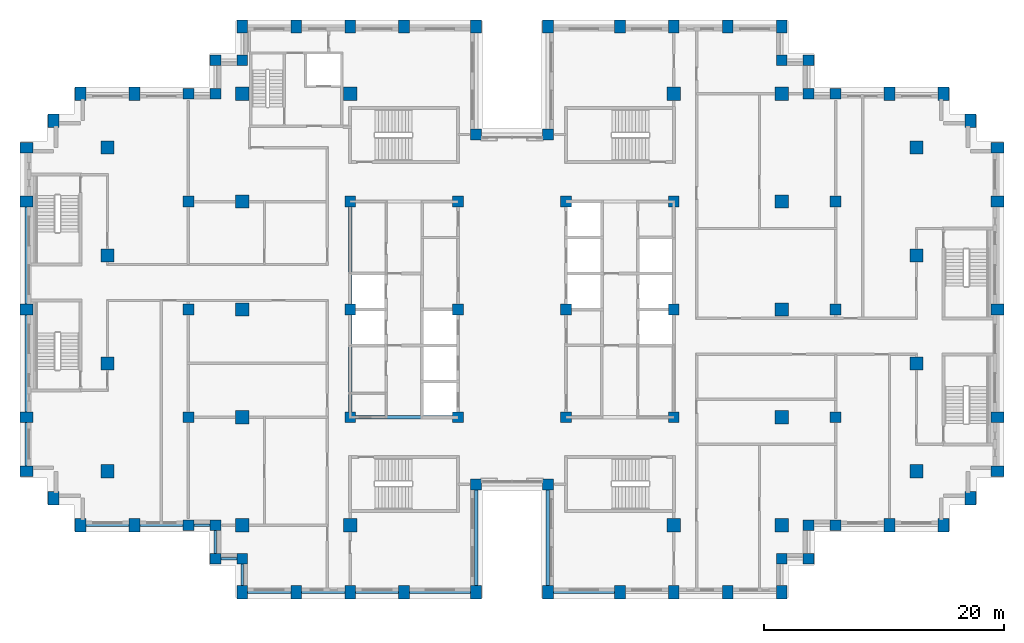
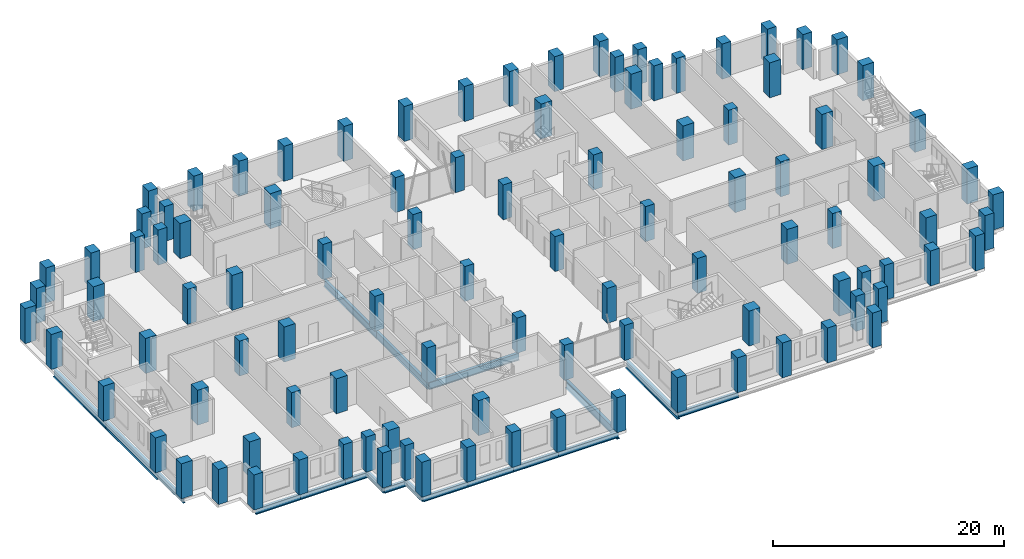
# One storey, part 1 of 16: 102 columns, 19 beams.
"""IFC4 building model written with IfcOpenShell, lengths in metres."""

from ifc_helpers import new_model, si_unit, direction, frame, origin, origin_2d, place, context, subcontext, project, spatial, rectangle, i_section, extrude, material, material_profile, profile_set, type_object, element, save


model = new_model("IFC4")

# Units and contexts
model_context = context("Model", 3, precision=1e-05, world=origin(), true_north=direction((0.0, 1.0)))
body_context = subcontext(model_context, "Body", "Model", "MODEL_VIEW")
ifc_project = project(units=[si_unit("LENGTHUNIT", "METRE"), si_unit("AREAUNIT", "SQUARE_METRE"), si_unit("VOLUMEUNIT", "CUBIC_METRE"), si_unit("PLANEANGLEUNIT", "RADIAN"), si_unit("MASSUNIT", "GRAM", prefix="KILO")], contexts=[model_context])

# Site, building, storey
site_placement = place(None, origin())
site = spatial("IfcSite", under=ifc_project, at=site_placement, CompositionType="ELEMENT")
building_placement = place(site_placement, origin())
building = spatial("IfcBuilding", under=site, at=building_placement, Name="Corbelhall Arena Tower", CompositionType="ELEMENT")
storey_placement = place(building_placement, frame((0.0, 0.0, 170.0)))
storey = spatial("IfcBuildingStorey", under=building, at=storey_placement, Name="L34", CompositionType="ELEMENT", Elevation=170.0)

# Columns
ifc_material_1 = material(Name="Concrete C80/95", Category="concrete")
ifc_material_profile_1 = material_profile(ifc_material_1, rectangle(XDim=1.10009765625, YDim=1.10009765625, at=origin_2d()))
ifc_profile_set_1 = profile_set([ifc_material_profile_1], Name="Concrete C80/95")
column_type_1 = type_object("IfcColumnType", Name="ST-COL-RC 1100x1100", PredefinedType="COLUMN", material=ifc_profile_set_1)
for number, where, z_axis, x_axis, name in (
    (1, (-33.75, 4.5, 0.0), (0.0, 0.0, 1.0), (1.0, 0.0, 0.0), "Column FIC+0450"),
    (2, (-33.75, 13.5, 0.0), (0.0, 0.0, 1.0), (1.0, 0.0, 0.0), "Column FIC+1350"),
    (3, (-33.75, -4.5, 0.0), (0.0, 0.0, 1.0), (1.0, 0.0, 0.0), "Column FIC-0450"),
    (4, (-33.75, -13.5, 0.0), (0.0, 0.0, 1.0), (1.0, 0.0, 0.0), "Column FIC-1350"),
    (5, (33.75, 4.5, 0.0), (0.0, 0.0, 1.0), (1.0, 0.0, 0.0), "Column FID+0450"),
    (6, (33.75, 13.5, 0.0), (0.0, 0.0, 1.0), (1.0, 0.0, 0.0), "Column FID+1350"),
    (7, (33.75, -4.5, 0.0), (0.0, 0.0, 1.0), (1.0, 0.0, 0.0), "Column FID-0450"),
    (8, (33.75, -13.5, 0.0), (0.0, 0.0, 1.0), (1.0, 0.0, 0.0), "Column FID-1350"),
    (9, (13.5, 18.0, 0.0), (0.0, 0.0, 1.0), (1.0, 0.0, 0.0), "Column IE13+1800"),
    (10, (13.5, -18.0, 0.0), (0.0, 0.0, 1.0), (1.0, 0.0, 0.0), "Column IE13-1800"),
    (11, (22.5, 0.0, 0.0), (0.0, 0.0, 1.0), (1.0, 0.0, 0.0), "Column IE22+0000"),
    (12, (22.5, 9.0, 0.0), (0.0, 0.0, 1.0), (1.0, 0.0, 0.0), "Column IE22+0900"),
    (13, (22.5, 18.0, 0.0), (0.0, 0.0, 1.0), (1.0, 0.0, 0.0), "Column IE22+1800"),
    (14, (22.5, -9.0, 0.0), (0.0, 0.0, 1.0), (1.0, 0.0, 0.0), "Column IE22-0900"),
    (15, (22.5, -18.0, 0.0), (0.0, 0.0, 1.0), (1.0, 0.0, 0.0), "Column IE22-1800"),
    (16, (-13.5, 18.0, 0.0), (0.0, 0.0, 1.0), (1.0, 0.0, 0.0), "Column IW13+1800"),
    (17, (-13.5, -18.0, 0.0), (0.0, 0.0, 1.0), (1.0, 0.0, 0.0), "Column IW13-1800"),
    (18, (-22.5, 0.0, 0.0), (0.0, 0.0, 1.0), (1.0, 0.0, 0.0), "Column IW22+0000"),
    (19, (-22.5, 9.0, 0.0), (0.0, 0.0, 1.0), (1.0, 0.0, 0.0), "Column IW22+0900"),
    (20, (-22.5, 18.0, 0.0), (0.0, 0.0, 1.0), (1.0, 0.0, 0.0), "Column IW22+1800"),
    (21, (-22.5, -9.0, 0.0), (0.0, 0.0, 1.0), (1.0, 0.0, 0.0), "Column IW22-0900"),
    (22, (-22.5, -18.0, 0.0), (0.0, 0.0, 1.0), (1.0, 0.0, 0.0), "Column IW22-1800"),
):
    element("IfcColumn", number, at=place(storey_placement, frame(where, z_axis=z_axis, x_axis=x_axis)), inside=storey, type_object=column_type_1, Name=name, PredefinedType="COLUMN", context=body_context, shape_type="SweptSolid", body=[
        extrude(rectangle(XDim=1.10009765625, YDim=1.10009765625, at=origin_2d()), origin(), (0.0, 0.0, 1.0), 3.699951171875),
    ])
ifc_material_profile_2 = material_profile(ifc_material_1, rectangle(XDim=0.89990234375, YDim=1.10009765625, at=origin_2d()))
ifc_profile_set_2 = profile_set([ifc_material_profile_2], Name="Concrete C80/95")
column_type_2 = type_object("IfcColumnType", Name="ST-COL-RC 900x1100", PredefinedType="COLUMN", material=ifc_profile_set_2)
for number, where, z_axis, x_axis, name in (
    (23, (-40.5, 0.0, 0.0), (0.0, 0.0, 1.0), (0.0, 1.0, 0.0), "Column FC+0000"),
    (24, (-40.5, 9.0, 0.0), (0.0, 0.0, 1.0), (0.0, 1.0, 0.0), "Column FC+0900"),
    (25, (-40.5, 13.5, 0.0), (0.0, 0.0, 1.0), (0.0, 1.0, 0.0), "Column FC+1350"),
    (26, (-40.5, -9.0, 0.0), (0.0, 0.0, 1.0), (0.0, 1.0, 0.0), "Column FC-0900"),
    (27, (-40.5, -13.5, 0.0), (0.0, 0.0, 1.0), (0.0, 1.0, 0.0), "Column FC-1350"),
    (28, (-38.25, 15.75, 0.0), (0.0, 0.0, 1.0), (1.0, 0.0, 0.0), "Column FCCN"),
    (29, (-38.25, -15.75, 0.0), (0.0, 0.0, 1.0), (1.0, 0.0, 0.0), "Column FCCS"),
    (30, (-31.5, 18.0, 0.0), (0.0, 0.0, 1.0), (1.0, 0.0, 0.0), "Column FCN3150"),
    (31, (-36.0, 18.0, 0.0), (0.0, 0.0, 1.0), (1.0, 0.0, 0.0), "Column FCN3600"),
    (32, (-31.5, -18.0, 0.0), (0.0, 0.0, 1.0), (1.0, 0.0, 0.0), "Column FCS3150"),
    (33, (-36.0, -18.0, 0.0), (0.0, 0.0, 1.0), (1.0, 0.0, 0.0), "Column FCS3600"),
    (34, (40.5, 0.0, 0.0), (0.0, 0.0, 1.0), (0.0, 1.0, 0.0), "Column FD+0000"),
    (35, (40.5, 9.0, 0.0), (0.0, 0.0, 1.0), (0.0, 1.0, 0.0), "Column FD+0900"),
    (36, (40.5, 13.5, 0.0), (0.0, 0.0, 1.0), (0.0, 1.0, 0.0), "Column FD+1350"),
    (37, (40.5, -9.0, 0.0), (0.0, 0.0, 1.0), (0.0, 1.0, 0.0), "Column FD-0900"),
    (38, (40.5, -13.5, 0.0), (0.0, 0.0, 1.0), (0.0, 1.0, 0.0), "Column FD-1350"),
    (39, (38.25, 15.75, 0.0), (0.0, 0.0, 1.0), (1.0, 0.0, 0.0), "Column FDCN"),
    (40, (38.25, -15.75, 0.0), (0.0, 0.0, 1.0), (1.0, 0.0, 0.0), "Column FDCS"),
    (41, (31.5, 18.0, 0.0), (0.0, 0.0, 1.0), (1.0, 0.0, 0.0), "Column FDN3150"),
    (42, (36.0, 18.0, 0.0), (0.0, 0.0, 1.0), (1.0, 0.0, 0.0), "Column FDN3600"),
    (43, (31.5, -18.0, 0.0), (0.0, 0.0, 1.0), (1.0, 0.0, 0.0), "Column FDS3150"),
    (44, (36.0, -18.0, 0.0), (0.0, 0.0, 1.0), (1.0, 0.0, 0.0), "Column FDS3600"),
    (45, (3.0, 23.60009765625, 0.0), (0.0, 0.0, 1.0), (1.0, 0.0, 0.0), "Column PNE0300"),
    (46, (9.0, 23.60009765625, 0.0), (0.0, 0.0, 1.0), (1.0, 0.0, 0.0), "Column PNE0900"),
    (47, (13.5, 23.60009765625, 0.0), (0.0, 0.0, 1.0), (1.0, 0.0, 0.0), "Column PNE1350"),
    (48, (18.0, 23.60009765625, 0.0), (0.0, 0.0, 1.0), (1.0, 0.0, 0.0), "Column PNE1800"),
    (49, (22.5, 23.60009765625, 0.0), (0.0, 0.0, 1.0), (1.0, 0.0, 0.0), "Column PNE2250"),
    (50, (-3.0, 23.60009765625, 0.0), (0.0, 0.0, 1.0), (1.0, 0.0, 0.0), "Column PNW0300"),
    (51, (-9.0, 23.60009765625, 0.0), (0.0, 0.0, 1.0), (1.0, 0.0, 0.0), "Column PNW0900"),
    (52, (-13.5, 23.60009765625, 0.0), (0.0, 0.0, 1.0), (1.0, 0.0, 0.0), "Column PNW1350"),
    (53, (-18.0, 23.60009765625, 0.0), (0.0, 0.0, 1.0), (1.0, 0.0, 0.0), "Column PNW1800"),
    (54, (-22.5, 23.60009765625, 0.0), (0.0, 0.0, 1.0), (1.0, 0.0, 0.0), "Column PNW2250"),
    (55, (3.0, -23.60009765625, 0.0), (0.0, 0.0, 1.0), (1.0, 0.0, 0.0), "Column PSE0300"),
    (56, (9.0, -23.60009765625, 0.0), (0.0, 0.0, 1.0), (1.0, 0.0, 0.0), "Column PSE0900"),
    (57, (13.5, -23.60009765625, 0.0), (0.0, 0.0, 1.0), (1.0, 0.0, 0.0), "Column PSE1350"),
    (58, (18.0, -23.60009765625, 0.0), (0.0, 0.0, 1.0), (1.0, 0.0, 0.0), "Column PSE1800"),
    (59, (22.5, -23.60009765625, 0.0), (0.0, 0.0, 1.0), (1.0, 0.0, 0.0), "Column PSE2250"),
    (60, (-3.0, -23.60009765625, 0.0), (0.0, 0.0, 1.0), (1.0, 0.0, 0.0), "Column PSW0300"),
    (61, (-9.0, -23.60009765625, 0.0), (0.0, 0.0, 1.0), (1.0, 0.0, 0.0), "Column PSW0900"),
    (62, (-13.5, -23.60009765625, 0.0), (0.0, 0.0, 1.0), (1.0, 0.0, 0.0), "Column PSW1350"),
    (63, (-18.0, -23.60009765625, 0.0), (0.0, 0.0, 1.0), (1.0, 0.0, 0.0), "Column PSW1800"),
    (64, (-22.5, -23.60009765625, 0.0), (0.0, 0.0, 1.0), (1.0, 0.0, 0.0), "Column PSW2250"),
):
    element("IfcColumn", number, at=place(storey_placement, frame(where, z_axis=z_axis, x_axis=x_axis)), inside=storey, type_object=column_type_2, Name=name, PredefinedType="COLUMN", context=body_context, shape_type="SweptSolid", body=[
        extrude(rectangle(XDim=0.89990234375, YDim=1.10009765625, at=origin_2d()), origin(), (0.0, 0.0, 1.0), 3.699951171875),
    ])
ifc_material_profile_3 = material_profile(ifc_material_1, rectangle(XDim=0.89990234375, YDim=0.89990234375, at=origin_2d()))
ifc_profile_set_3 = profile_set([ifc_material_profile_3], Name="Concrete C80/95")
column_type_3 = type_object("IfcColumnType", Name="ST-COL-RC 900x900", PredefinedType="COLUMN", material=ifc_profile_set_3)
for number, where, z_axis, x_axis, name in (
    (65, (4.5, 0.0, 0.0), (0.0, 0.0, 1.0), (1.0, 0.0, 0.0), "Column KE+0450+0000"),
    (66, (4.5, 9.0, 0.0), (0.0, 0.0, 1.0), (1.0, 0.0, 0.0), "Column KE+0450+0900"),
    (67, (4.5, -9.0, 0.0), (0.0, 0.0, 1.0), (1.0, 0.0, 0.0), "Column KE+0450-0900"),
    (68, (13.5, 0.0, 0.0), (0.0, 0.0, 1.0), (1.0, 0.0, 0.0), "Column KE+1350+0000"),
    (69, (13.5, 9.0, 0.0), (0.0, 0.0, 1.0), (1.0, 0.0, 0.0), "Column KE+1350+0900"),
    (70, (13.5, -9.0, 0.0), (0.0, 0.0, 1.0), (1.0, 0.0, 0.0), "Column KE+1350-0900"),
    (71, (-4.5, 0.0, 0.0), (0.0, 0.0, 1.0), (1.0, 0.0, 0.0), "Column KW-0450+0000"),
    (72, (-4.5, 9.0, 0.0), (0.0, 0.0, 1.0), (1.0, 0.0, 0.0), "Column KW-0450+0900"),
    (73, (-4.5, -9.0, 0.0), (0.0, 0.0, 1.0), (1.0, 0.0, 0.0), "Column KW-0450-0900"),
    (74, (-13.5, 0.0, 0.0), (0.0, 0.0, 1.0), (1.0, 0.0, 0.0), "Column KW-1350+0000"),
    (75, (-13.5, 9.0, 0.0), (0.0, 0.0, 1.0), (1.0, 0.0, 0.0), "Column KW-1350+0900"),
    (76, (-13.5, -9.0, 0.0), (0.0, 0.0, 1.0), (1.0, 0.0, 0.0), "Column KW-1350-0900"),
    (77, (27.0, 0.0, 0.0), (0.0, 0.0, 1.0), (1.0, 0.0, 0.0), "Column PE+0000"),
    (78, (27.0, 9.0, 0.0), (0.0, 0.0, 1.0), (1.0, 0.0, 0.0), "Column PE+0900"),
    (79, (27.0, 18.0, 0.0), (0.0, 0.0, 1.0), (1.0, 0.0, 0.0), "Column PE+1800"),
    (80, (27.0, -9.0, 0.0), (0.0, 0.0, 1.0), (1.0, 0.0, 0.0), "Column PE-0900"),
    (81, (27.0, -18.0, 0.0), (0.0, 0.0, 1.0), (1.0, 0.0, 0.0), "Column PE-1800"),
    (82, (-27.0, 0.0, 0.0), (0.0, 0.0, 1.0), (1.0, 0.0, 0.0), "Column PW+0000"),
    (83, (-27.0, 9.0, 0.0), (0.0, 0.0, 1.0), (1.0, 0.0, 0.0), "Column PW+0900"),
    (84, (-27.0, 18.0, 0.0), (0.0, 0.0, 1.0), (1.0, 0.0, 0.0), "Column PW+1800"),
    (85, (-27.0, -9.0, 0.0), (0.0, 0.0, 1.0), (1.0, 0.0, 0.0), "Column PW-0900"),
    (86, (-27.0, -18.0, 0.0), (0.0, 0.0, 1.0), (1.0, 0.0, 0.0), "Column PW-1800"),
    (87, (3.0, 14.60009765625, 0.0), (0.0, 0.0, 1.0), (1.0, 0.0, 0.0), "Column SLNE2"),
    (88, (-3.0, 14.60009765625, 0.0), (0.0, 0.0, 1.0), (1.0, 0.0, 0.0), "Column SLNW2"),
    (89, (3.0, -14.60009765625, 0.0), (0.0, 0.0, 1.0), (1.0, 0.0, 0.0), "Column SLSE2"),
    (90, (-3.0, -14.60009765625, 0.0), (0.0, 0.0, 1.0), (1.0, 0.0, 0.0), "Column SLSW2"),
    (91, (22.5, 20.800048828125, 0.0), (0.0, 0.0, 1.0), (1.0, 0.0, 0.0), "Column XNE1"),
    (92, (24.75, 20.800048828125, 0.0), (0.0, 0.0, 1.0), (1.0, 0.0, 0.0), "Column XNE2"),
    (93, (24.75, 18.0, 0.0), (0.0, 0.0, 1.0), (1.0, 0.0, 0.0), "Column XNE3"),
    (94, (-22.5, 20.800048828125, 0.0), (0.0, 0.0, 1.0), (1.0, 0.0, 0.0), "Column XNW1"),
    (95, (-24.75, 20.800048828125, 0.0), (0.0, 0.0, 1.0), (1.0, 0.0, 0.0), "Column XNW2"),
    (96, (-24.75, 18.0, 0.0), (0.0, 0.0, 1.0), (1.0, 0.0, 0.0), "Column XNW3"),
    (97, (22.5, -20.800048828125, 0.0), (0.0, 0.0, 1.0), (1.0, 0.0, 0.0), "Column XSE1"),
    (98, (24.75, -20.800048828125, 0.0), (0.0, 0.0, 1.0), (1.0, 0.0, 0.0), "Column XSE2"),
    (99, (24.75, -18.0, 0.0), (0.0, 0.0, 1.0), (1.0, 0.0, 0.0), "Column XSE3"),
    (100, (-22.5, -20.800048828125, 0.0), (0.0, 0.0, 1.0), (1.0, 0.0, 0.0), "Column XSW1"),
    (101, (-24.75, -20.800048828125, 0.0), (0.0, 0.0, 1.0), (1.0, 0.0, 0.0), "Column XSW2"),
    (102, (-24.75, -18.0, 0.0), (0.0, 0.0, 1.0), (1.0, 0.0, 0.0), "Column XSW3"),
):
    element("IfcColumn", number, at=place(storey_placement, frame(where, z_axis=z_axis, x_axis=x_axis)), inside=storey, type_object=column_type_3, Name=name, PredefinedType="COLUMN", context=body_context, shape_type="SweptSolid", body=[
        extrude(rectangle(XDim=0.89990234375, YDim=0.89990234375, at=origin_2d()), origin(), (0.0, 0.0, 1.0), 3.699951171875),
    ])

# Beams
ifc_material_2 = material(Name="Steel ASTM A992 Gr50", Category="steel")
ifc_material_profile_4 = material_profile(ifc_material_2, i_section(OverallWidth=0.2666015625, OverallDepth=0.761962890625, WebThickness=0.014404296875, FlangeThickness=0.021484375, at=origin_2d()))
ifc_profile_set_4 = profile_set([ifc_material_profile_4], Name="Steel ASTM A992 Gr50")
beam_type_1 = type_object("IfcBeamType", Name="ST-BEAM-W30x116", PredefinedType="BEAM", material=ifc_profile_set_4)
for number, where, z_axis, x_axis, name in (
    (103, (-13.5, -9.0, -0.680908203125), (0.0, 1.0, 0.0), (-1.0, 0.0, 0.0), "Beam CEW 1"),
    (104, (-13.5, 0.0, -0.680908203125), (0.0, 1.0, 0.0), (-1.0, 0.0, 0.0), "Beam CEW 2"),
    (105, (-13.5, -9.0, -0.680908203125), (1.0, 0.0, 0.0), (0.0, 1.0, 0.0), "Beam CEW 5"),
):
    element("IfcBeam", number, at=place(storey_placement, frame(where, z_axis=z_axis, x_axis=x_axis)), inside=storey, type_object=beam_type_1, Name=name, PredefinedType="BEAM", context=body_context, shape_type="SweptSolid", body=[
        extrude(i_section(OverallWidth=0.2666015625, OverallDepth=0.761962890625, WebThickness=0.014404296875, FlangeThickness=0.021484375, at=origin_2d()), origin(), (0.0, 0.0, 1.0), 9.0),
    ])
ifc_material_profile_5 = material_profile(ifc_material_2, i_section(OverallWidth=0.22900390625, OverallDepth=0.612060546875, WebThickness=0.011962890625, FlangeThickness=0.01953125, at=origin_2d()))
ifc_profile_set_5 = profile_set([ifc_material_profile_5], Name="Steel ASTM A992 Gr50")
beam_type_2 = type_object("IfcBeamType", Name="ST-SPANDREL-W24x84", PredefinedType="SPANDREL", material=ifc_profile_set_5)
for number, where, z_axis, x_axis, name in (
    (106, (-40.5, -13.5, -0.60595703125), (0.0, 1.0, 0.0), (-1.0, 0.0, 0.0), "Beam SP 4"),
    (107, (-31.5, -18.0, -0.60595703125), (-1.0, 0.0, 0.0), (0.0, -1.0, 0.0), "Beam SP 7"),
):
    element("IfcBeam", number, at=place(storey_placement, frame(where, z_axis=z_axis, x_axis=x_axis)), inside=storey, type_object=beam_type_2, Name=name, PredefinedType="SPANDREL", context=body_context, shape_type="SweptSolid", body=[
        extrude(i_section(OverallWidth=0.22900390625, OverallDepth=0.612060546875, WebThickness=0.011962890625, FlangeThickness=0.01953125, at=origin_2d()), origin(), (0.0, 0.0, 1.0), 4.5),
    ])
for number, where, z_axis, x_axis, name in (
    (108, (9.0, -23.60009765625, -0.60595703125), (-1.0, 0.0, 0.0), (0.0, -1.0, 0.0), "Beam SP 28"),
    (109, (-3.0, -23.60009765625, -0.60595703125), (-1.0, 0.0, 0.0), (0.0, -1.0, 0.0), "Beam SP 32"),
):
    element("IfcBeam", number, at=place(storey_placement, frame(where, z_axis=z_axis, x_axis=x_axis)), inside=storey, type_object=beam_type_2, Name=name, PredefinedType="SPANDREL", context=body_context, shape_type="SweptSolid", body=[
        extrude(i_section(OverallWidth=0.22900390625, OverallDepth=0.612060546875, WebThickness=0.011962890625, FlangeThickness=0.01953125, at=origin_2d()), origin(), (0.0, 0.0, 1.0), 6.0),
    ])
for number, where, z_axis, x_axis, name in (
    (110, (-9.0, -23.60009765625, -0.60595703125), (-1.0, 0.0, 0.0), (0.0, -1.0, 0.0), "Beam SP 33"),
    (111, (-13.5, -23.60009765625, -0.60595703125), (-1.0, 0.0, 0.0), (0.0, -1.0, 0.0), "Beam SP 34"),
    (112, (-18.0, -23.60009765625, -0.60595703125), (-1.0, 0.0, 0.0), (0.0, -1.0, 0.0), "Beam SP 35"),
):
    element("IfcBeam", number, at=place(storey_placement, frame(where, z_axis=z_axis, x_axis=x_axis)), inside=storey, type_object=beam_type_2, Name=name, PredefinedType="SPANDREL", context=body_context, shape_type="SweptSolid", body=[
        extrude(i_section(OverallWidth=0.22900390625, OverallDepth=0.612060546875, WebThickness=0.011962890625, FlangeThickness=0.01953125, at=origin_2d()), origin(), (0.0, 0.0, 1.0), 4.5),
    ])
beam_1_placement = place(storey_placement, frame((-22.5, -23.60009765625, -0.60595703125), z_axis=(0.0, 1.0, 0.0), x_axis=(-1.0, 0.0, 0.0)))
element("IfcBeam", 113, at=beam_1_placement, inside=storey, type_object=beam_type_2, Name="Beam SP 36", PredefinedType="SPANDREL", context=body_context, shape_type="SweptSolid", body=[
    extrude(i_section(OverallWidth=0.22900390625, OverallDepth=0.612060546875, WebThickness=0.011962890625, FlangeThickness=0.01953125, at=origin_2d()), origin(), (0.0, 0.0, 1.0), 2.800048828125),
])
beam_2_placement = place(storey_placement, frame((-27.0, -18.0, -0.60595703125), z_axis=(-1.0, 0.0, 0.0), x_axis=(0.0, -1.0, 0.0)))
element("IfcBeam", 114, at=beam_2_placement, inside=storey, type_object=beam_type_2, Name="Beam SP 38", PredefinedType="SPANDREL", context=body_context, shape_type="SweptSolid", body=[
    extrude(i_section(OverallWidth=0.22900390625, OverallDepth=0.612060546875, WebThickness=0.011962890625, FlangeThickness=0.01953125, at=origin_2d()), origin(), (0.0, 0.0, 1.0), 4.5),
])
beam_3_placement = place(storey_placement, frame((-22.5, -20.800048828125, -0.60595703125), z_axis=(-1.0, 0.0, 0.0), x_axis=(0.0, -1.0, 0.0)))
element("IfcBeam", 115, at=beam_3_placement, inside=storey, type_object=beam_type_2, Name="Beam SP 52", PredefinedType="SPANDREL", context=body_context, shape_type="SweptSolid", body=[
    extrude(i_section(OverallWidth=0.22900390625, OverallDepth=0.612060546875, WebThickness=0.011962890625, FlangeThickness=0.01953125, at=origin_2d()), origin(), (0.0, 0.0, 1.0), 2.25),
])
beam_4_placement = place(storey_placement, frame((-24.75, -20.800048828125, -0.60595703125), z_axis=(0.0, 1.0, 0.0), x_axis=(-1.0, 0.0, 0.0)))
element("IfcBeam", 116, at=beam_4_placement, inside=storey, type_object=beam_type_2, Name="Beam SP 53", PredefinedType="SPANDREL", context=body_context, shape_type="SweptSolid", body=[
    extrude(i_section(OverallWidth=0.22900390625, OverallDepth=0.612060546875, WebThickness=0.011962890625, FlangeThickness=0.01953125, at=origin_2d()), origin(), (0.0, 0.0, 1.0), 2.800048828125),
])
beam_5_placement = place(storey_placement, frame((-24.75, -18.0, -0.60595703125), z_axis=(-1.0, 0.0, 0.0), x_axis=(0.0, -1.0, 0.0)))
element("IfcBeam", 117, at=beam_5_placement, inside=storey, type_object=beam_type_2, Name="Beam SP 54", PredefinedType="SPANDREL", context=body_context, shape_type="SweptSolid", body=[
    extrude(i_section(OverallWidth=0.22900390625, OverallDepth=0.612060546875, WebThickness=0.011962890625, FlangeThickness=0.01953125, at=origin_2d()), origin(), (0.0, 0.0, 1.0), 2.25),
])
ifc_material_profile_6 = material_profile(ifc_material_2, i_section(OverallWidth=0.2919921875, OverallDepth=0.845703125, WebThickness=0.015380859375, FlangeThickness=0.0244140625, at=origin_2d()))
ifc_profile_set_6 = profile_set([ifc_material_profile_6], Name="Steel ASTM A992 Gr50")
beam_type_3 = type_object("IfcBeamType", Name="ST-SPANDREL-W33x141", PredefinedType="SPANDREL", material=ifc_profile_set_6)
for number, where, z_axis, x_axis, name in (
    (118, (-40.5, 0.0, -0.722900390625), (0.0, 1.0, 0.0), (-1.0, 0.0, 0.0), "Beam SP 1"),
    (119, (-40.5, -9.0, -0.722900390625), (0.0, 1.0, 0.0), (-1.0, 0.0, 0.0), "Beam SP 3"),
    (120, (3.0, -23.60009765625, -0.722900390625), (0.0, 1.0, 0.0), (-1.0, 0.0, 0.0), "Beam SP 27"),
    (121, (-3.0, -14.60009765625, -0.722900390625), (0.0, -1.0, 0.0), (1.0, 0.0, 0.0), "Beam SP 42"),
):
    element("IfcBeam", number, at=place(storey_placement, frame(where, z_axis=z_axis, x_axis=x_axis)), inside=storey, type_object=beam_type_3, Name=name, PredefinedType="SPANDREL", context=body_context, shape_type="SweptSolid", body=[
        extrude(i_section(OverallWidth=0.2919921875, OverallDepth=0.845703125, WebThickness=0.015380859375, FlangeThickness=0.0244140625, at=origin_2d()), origin(), (0.0, 0.0, 1.0), 9.0),
    ])

save(model, "model.ifc")
